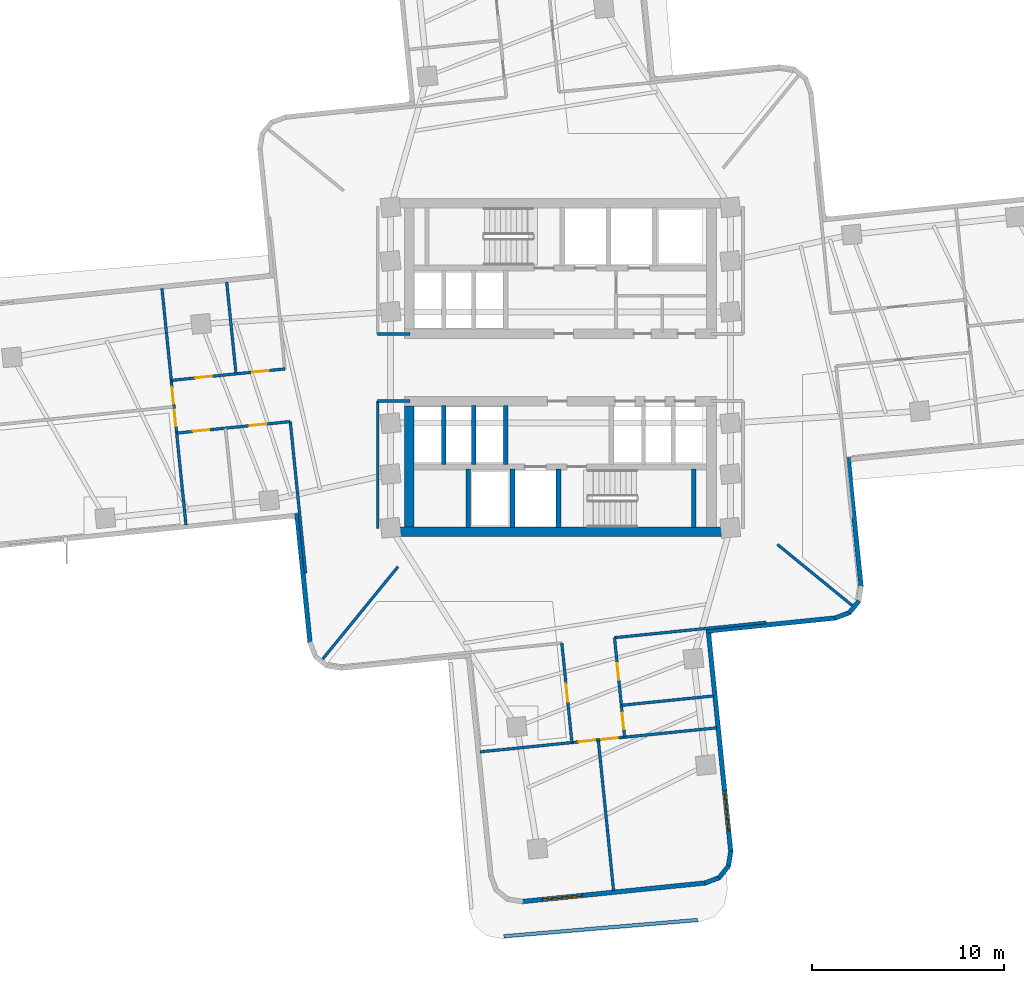
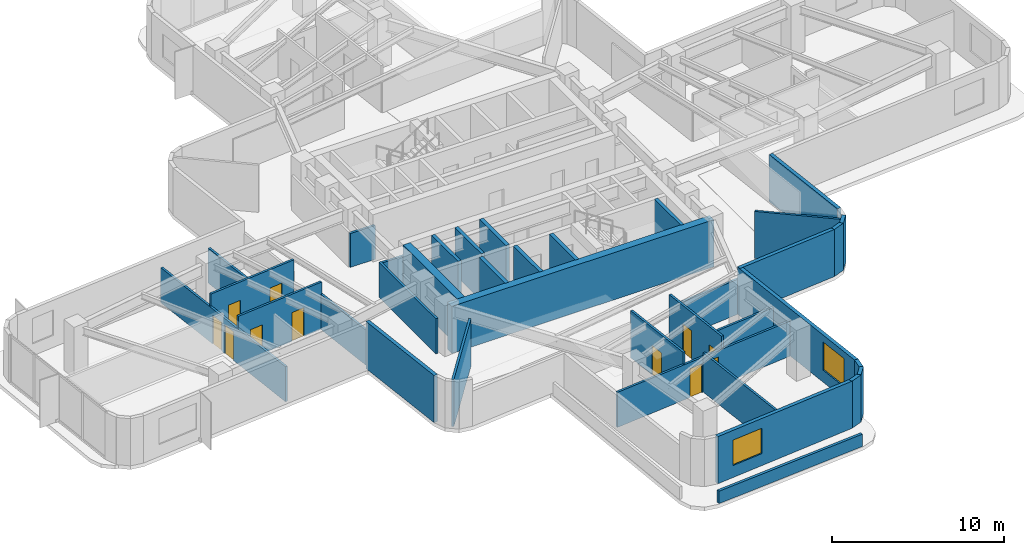
# One storey, part 7 of 14: 36 walls, 11 doors, 2 windows, 13 openings.
"""IFC4 building model written with IfcOpenShell, lengths in metres."""

from ifc_helpers import new_model, si_unit, direction, frame, frame_2d, origin, place, context, subcontext, project, spatial, rectangle, extrude, material, layer, layer_set, type_object, element, fill, save


model = new_model("IFC4")

# Units and contexts
model_context = context("Model", 3, precision=1e-05, world=origin(), true_north=direction((0.0, 1.0)))
body_context = subcontext(model_context, "Body", "Model", "MODEL_VIEW")
ifc_project = project(units=[si_unit("LENGTHUNIT", "METRE"), si_unit("AREAUNIT", "SQUARE_METRE"), si_unit("VOLUMEUNIT", "CUBIC_METRE"), si_unit("PLANEANGLEUNIT", "RADIAN"), si_unit("MASSUNIT", "GRAM", prefix="KILO")], contexts=[model_context])

# Site, building, storey
site_placement = place(None, origin())
site = spatial("IfcSite", under=ifc_project, at=site_placement, CompositionType="ELEMENT")
building_placement = place(site_placement, origin())
building = spatial("IfcBuilding", under=site, at=building_placement, Name="Solmarez Civic Tower", CompositionType="ELEMENT")
storey_placement = place(building_placement, frame((0.0, 0.0, 67.679931640625)))
storey = spatial("IfcBuildingStorey", under=building, at=storey_placement, Name="L17", CompositionType="ELEMENT", Elevation=67.679931640625)

# Walls
ifc_material_1 = material(Name="Concrete C60/75", Category="concrete")
ifc_layer_1 = layer(ifc_material_1, 0.5)
ifc_layer_set_1 = layer_set([ifc_layer_1], Name="Concrete C60/75")
wall_type_1 = type_object("IfcWallType", Name="WALL-CORE-500", PredefinedType="SHEAR", material=ifc_layer_set_1)
wall_1_placement = place(storey_placement, frame((8.780029296875, -8.56005859375, 0.0), z_axis=(0.0, 0.0, 1.0), x_axis=(-1.0, 0.0, 0.0)))
element("IfcWall", 1, at=wall_1_placement, inside=storey, type_object=wall_type_1, Name="L17 Split-Core Structural Wall SCW-S-L17", PredefinedType="SHEAR", context=body_context, shape_type="SweptSolid", body=[
    extrude(rectangle(XDim=17.56005859375, YDim=0.5, at=frame_2d((8.780029296875, 0.0))), origin(), (0.0, 0.0, 1.0), 3.340087890625),
])
wall_2_placement = place(storey_placement, frame((-7.8701171875, -8.31005859375, 0.0), z_axis=(0.0, 0.0, 1.0), x_axis=(0.0, 1.0, 0.0)))
element("IfcWall", 2, at=wall_2_placement, inside=storey, type_object=wall_type_1, Name="L17 Split-Core Structural Wall SCW-W-L17", PredefinedType="SHEAR", context=body_context, shape_type="SweptSolid", body=[
    extrude(rectangle(XDim=6.31005859375, YDim=0.5, at=frame_2d((3.155029296875, 0.0))), origin(), (0.0, 0.0, 1.0), 3.340087890625),
])
ifc_material_2 = material(Name="Precast concrete C40/50", Category="concrete")
ifc_layer_2 = layer(ifc_material_2, 0.239990234375)
ifc_layer_set_2 = layer_set([ifc_layer_2], Name="Precast concrete C40/50")
wall_type_2 = type_object("IfcWallType", Name="WALL-EXT-240", PredefinedType="SOLIDWALL", material=ifc_layer_set_2)
wall_3_placement = place(storey_placement, frame((14.98095703125, -4.694091796875, 0.0), z_axis=(0.0, 0.0, 1.0), x_axis=(0.101105402534, -0.994875719665, 0.0)))
element("IfcWall", 3, at=wall_3_placement, inside=storey, type_object=wall_type_2, Name="L17 Exterior Precast Wall 49", PredefinedType="SOLIDWALL", context=body_context, shape_type="SweptSolid", body=[
    extrude(rectangle(XDim=6.775634765625, YDim=0.239990234375, at=frame_2d((3.3876953125, 0.0))), origin(), (0.0, 0.0, 1.0), 3.340087890625),
])
wall_4_placement = place(storey_placement, frame((15.553955078125, -12.160888671875, 0.0), z_axis=(0.0, 0.0, 1.0), x_axis=(-0.632027096542, -0.774946287969, 0.0)))
element("IfcWall", 4, at=wall_4_placement, inside=storey, type_object=wall_type_2, Name="L17 Exterior Precast Wall 51", PredefinedType="SOLIDWALL", context=body_context, shape_type="SweptSolid", body=[
    extrude(rectangle(XDim=0.813232421875, YDim=0.239990234375, at=frame_2d((0.40673828125, 0.0))), origin(), (0.0, 0.0, 1.0), 3.340087890625),
])
wall_5_placement = place(storey_placement, frame((15.0791015625, -12.762939453125, 0.0), z_axis=(0.0, 0.0, 1.0), x_axis=(-0.934687869602, -0.355469529522, 0.0)))
element("IfcWall", 5, at=wall_5_placement, inside=storey, type_object=wall_type_2, Name="L17 Exterior Precast Wall 52", PredefinedType="SOLIDWALL", context=body_context, shape_type="SweptSolid", body=[
    extrude(rectangle(XDim=0.830322265625, YDim=0.239990234375, at=frame_2d((0.4150390625, 0.0))), origin(), (0.0, 0.0, 1.0), 3.340087890625),
])
wall_6_placement = place(storey_placement, frame((14.35107421875, -13.0458984375, 0.0), z_axis=(0.0, 0.0, 1.0), x_axis=(-0.994861212257, -0.101248053545, 0.0)))
element("IfcWall", 6, at=wall_6_placement, inside=storey, type_object=wall_type_2, Name="L17 Exterior Precast Wall 53", PredefinedType="SOLIDWALL", context=body_context, shape_type="SweptSolid", body=[
    extrude(rectangle(XDim=6.77587890625, YDim=0.239990234375, at=frame_2d((3.387939453125, 0.0))), origin(), (0.0, 0.0, 1.0), 3.340087890625),
])

# Wall, opening, window
wall_7_placement = place(storey_placement, frame((7.696044921875, -13.6259765625, 0.0), z_axis=(0.0, 0.0, 1.0), x_axis=(0.101141181304, -0.994872082956, 0.0)))
wall_7 = element("IfcWall", 7, at=wall_7_placement, inside=storey, type_object=wall_type_2, Name="L17 Exterior Precast Wall 56", PredefinedType="SOLIDWALL", context=body_context, shape_type="SweptSolid", body=[
    extrude(rectangle(XDim=11.67578125, YDim=0.239990234375, at=frame_2d((5.837890625, 0.0))), origin(), (0.0, 0.0, 1.0), 3.340087890625),
])
opening_1_placement = place(wall_7_placement, frame((8.47607421875, 0.0, 0.85009765625)))
opening_1 = element("IfcOpeningElement", 8, at=opening_1_placement, cuts=wall_7, Name="Opening W-03", PredefinedType="OPENING", context=body_context, shape_type="SweptSolid", body=[
    extrude(rectangle(XDim=2.10009765625, YDim=2.0, at=frame_2d((1.050048828125, 1.0))), frame((0.0, 0.1298828125, 0.0), z_axis=(0.0, -1.0, 0.0), x_axis=(1.0, 0.0, 0.0)), (0.0, 0.0, 1.0), 0.260009765625),
])
ifc_material_3 = material(Name="Solar Control Bronze-Tinted Insulating Glass", Category="glass")
window_type_1 = type_object("IfcWindowType", Name="WIN-2100X2000", PartitioningType="SINGLE_PANEL", PredefinedType="WINDOW", material=ifc_material_3)
window_1_placement = place(opening_1_placement, origin())
window_1 = element("IfcWindow", 9, at=window_1_placement, inside=storey, type_object=window_type_1, Name="L17 Exterior Facade Window 56", OverallHeight=2.0, OverallWidth=2.10009765625, PartitioningType="SINGLE_PANEL", PredefinedType="WINDOW", context=body_context, shape_type="SweptSolid", body=[
    extrude(rectangle(XDim=2.10009765625, YDim=2.0, at=frame_2d((1.050048828125, 1.0))), frame((0.0, 0.030029296875, 0.0), z_axis=(0.0, -1.0, 0.0), x_axis=(1.0, 0.0, 0.0)), (0.0, 0.0, 1.0), 0.06005859375),
])
fill(opening_1, window_1)

# Walls
wall_8_placement = place(storey_placement, frame((8.8779296875, -25.19189453125, 0.0), z_axis=(0.0, 0.0, 1.0), x_axis=(-0.159869937309, -0.987138087172, 0.0)))
element("IfcWall", 10, at=wall_8_placement, inside=storey, type_object=wall_type_2, Name="L17 Exterior Precast Wall 57", PredefinedType="SOLIDWALL", context=body_context, shape_type="SweptSolid", body=[
    extrude(rectangle(XDim=0.830810546875, YDim=0.239990234375, at=frame_2d((0.41552734375, 0.0))), origin(), (0.0, 0.0, 1.0), 3.340087890625),
])
wall_9_placement = place(storey_placement, frame((8.764892578125, -25.968017578125, 0.0), z_axis=(0.0, 0.0, 1.0), x_axis=(-0.632894553208, -0.774238002503, 0.0)))
element("IfcWall", 11, at=wall_9_placement, inside=storey, type_object=wall_type_2, Name="L17 Exterior Precast Wall 58", PredefinedType="SOLIDWALL", context=body_context, shape_type="SweptSolid", body=[
    extrude(rectangle(XDim=0.8134765625, YDim=0.239990234375, at=frame_2d((0.40673828125, 0.0))), origin(), (0.0, 0.0, 1.0), 3.340087890625),
])
wall_10_placement = place(storey_placement, frame((8.2890625, -26.570068359375, 0.0), z_axis=(0.0, 0.0, 1.0), x_axis=(-0.934636879952, -0.355603575113, 0.0)))
element("IfcWall", 12, at=wall_10_placement, inside=storey, type_object=wall_type_2, Name="L17 Exterior Precast Wall 59", PredefinedType="SOLIDWALL", context=body_context, shape_type="SweptSolid", body=[
    extrude(rectangle(XDim=0.829345703125, YDim=0.239990234375, at=frame_2d((0.41455078125, 0.0))), origin(), (0.0, 0.0, 1.0), 3.340087890625),
])

# Wall, opening, window
wall_11_placement = place(storey_placement, frame((7.56201171875, -26.85302734375, 0.0), z_axis=(0.0, 0.0, 1.0), x_axis=(-0.994872257291, -0.101139466448, 0.0)))
wall_11 = element("IfcWall", 13, at=wall_11_placement, inside=storey, type_object=wall_type_2, Name="L17 Exterior Precast Wall 60", PredefinedType="SOLIDWALL", context=body_context, shape_type="SweptSolid", body=[
    extrude(rectangle(XDim=9.619384765625, YDim=0.239990234375, at=frame_2d((4.8095703125, 0.0))), origin(), (0.0, 0.0, 1.0), 3.340087890625),
])
opening_2_placement = place(wall_11_placement, frame((6.452880859375, 0.0, 0.85009765625)))
opening_2 = element("IfcOpeningElement", 14, at=opening_2_placement, cuts=wall_11, Name="Opening W-07", PredefinedType="OPENING", context=body_context, shape_type="SweptSolid", body=[
    extrude(rectangle(XDim=2.10009765625, YDim=1.800048828125, at=frame_2d((1.050048828125, 0.89990234375))), frame((0.0, 0.1298828125, 0.0), z_axis=(0.0, -1.0, 0.0), x_axis=(1.0, 0.0, 0.0)), (0.0, 0.0, 1.0), 0.260009765625),
])
window_type_2 = type_object("IfcWindowType", Name="WIN-2100X1800", PartitioningType="SINGLE_PANEL", PredefinedType="WINDOW", material=ifc_material_3)
window_2_placement = place(opening_2_placement, origin())
window_2 = element("IfcWindow", 15, at=window_2_placement, inside=storey, type_object=window_type_2, Name="L17 Exterior Facade Window 60", OverallHeight=1.800048828125, OverallWidth=2.10009765625, PartitioningType="SINGLE_PANEL", PredefinedType="WINDOW", context=body_context, shape_type="SweptSolid", body=[
    extrude(rectangle(XDim=2.10009765625, YDim=1.800048828125, at=frame_2d((1.050048828125, 0.89990234375))), frame((0.0, 0.030029296875, 0.0), z_axis=(0.0, -1.0, 0.0), x_axis=(1.0, 0.0, 0.0)), (0.0, 0.0, 1.0), 0.06005859375),
])
fill(opening_2, window_2)

# Walls
wall_12_placement = place(storey_placement, frame((-13.0458984375, -14.35107421875, 0.0), z_axis=(0.0, 0.0, 1.0), x_axis=(-0.101248053545, 0.994861212257, 0.0)))
element("IfcWall", 16, at=wall_12_placement, inside=storey, type_object=wall_type_2, Name="L17 Exterior Precast Wall 71", PredefinedType="SOLIDWALL", context=body_context, shape_type="SweptSolid", body=[
    extrude(rectangle(XDim=6.77587890625, YDim=0.239990234375, at=frame_2d((3.387939453125, 0.0))), origin(), (0.0, 0.0, 1.0), 3.340087890625),
])
ifc_material_4 = material(Name="Gypsum Board Acoustic Steel-Stud Partition", Category="steel")
ifc_layer_3 = layer(ifc_material_4, 0.14990234375)
ifc_layer_set_3 = layer_set([ifc_layer_3], Name="Gypsum Board Acoustic Steel-Stud Partition")
wall_type_3 = type_object("IfcWallType", Name="WALL-INT-FIRE-150", PredefinedType="PARTITIONING", material=ifc_layer_set_3)
wall_13_placement = place(storey_placement, frame((-7.85009765625, 1.75, 0.0), z_axis=(0.0, 0.0, 1.0), x_axis=(-1.0, 0.0, 0.0)))
element("IfcWall", 17, at=wall_13_placement, inside=storey, type_object=wall_type_3, Name="L17 Interior Partition CHW-L17-WN3", PredefinedType="PARTITIONING", context=body_context, shape_type="SweptSolid", body=[
    extrude(rectangle(XDim=1.669921875, YDim=0.14990234375, at=frame_2d((0.8349609375, 0.0))), origin(), (0.0, 0.0, 1.0), 2.405029296875),
])
wall_14_placement = place(storey_placement, frame((-9.52001953125, -8.3798828125, 0.0), z_axis=(0.0, 0.0, 1.0), x_axis=(0.0, 1.0, 0.0)))
element("IfcWall", 18, at=wall_14_placement, inside=storey, type_object=wall_type_3, Name="L17 Interior Partition CHW-L17-WS1", PredefinedType="PARTITIONING", context=body_context, shape_type="SweptSolid", body=[
    extrude(rectangle(XDim=6.6298828125, YDim=0.14990234375, at=frame_2d((3.31494140625, 0.0))), origin(), (0.0, 0.0, 1.0), 2.486083984375),
])
wall_15_placement = place(storey_placement, frame((-7.85009765625, -1.75, 0.0), z_axis=(0.0, 0.0, 1.0), x_axis=(-1.0, 0.0, 0.0)))
element("IfcWall", 19, at=wall_15_placement, inside=storey, type_object=wall_type_3, Name="L17 Interior Partition CHW-L17-WS3", PredefinedType="PARTITIONING", context=body_context, shape_type="SweptSolid", body=[
    extrude(rectangle(XDim=1.669921875, YDim=0.14990234375, at=frame_2d((0.8349609375, 0.0))), origin(), (0.0, 0.0, 1.0), 2.405029296875),
])
ifc_layer_4 = layer(ifc_material_4, 0.14501953125)
ifc_layer_set_4 = layer_set([ifc_layer_4], Name="Gypsum Board Acoustic Steel-Stud Partition")
wall_type_4 = type_object("IfcWallType", Name="WALL-INT-PART-150", PredefinedType="PARTITIONING", material=ifc_layer_set_4)
wall_16_placement = place(storey_placement, frame((-8.466064453125, -10.3798828125, 0.0), z_axis=(0.0, 0.0, 1.0), x_axis=(-0.631992375104, -0.774974604623, 0.0)))
element("IfcWall", 20, at=wall_16_placement, inside=storey, type_object=wall_type_4, Name="L17 Interior Partition PT-L17-QDIV-3", PredefinedType="PARTITIONING", context=body_context, shape_type="SweptSolid", body=[
    extrude(rectangle(XDim=6.259765625, YDim=0.14501953125, at=frame_2d((3.1298828125, 0.0))), origin(), (0.0, 0.0, 1.0), 3.340087890625),
])
wall_17_placement = place(storey_placement, frame((11.300048828125, -9.216064453125, 0.0), z_axis=(0.0, 0.0, 1.0), x_axis=(0.774936359867, -0.632039269473, 0.0)))
element("IfcWall", 21, at=wall_17_placement, inside=storey, type_object=wall_type_4, Name="L17 Interior Partition PT-L17-QDIV-4", PredefinedType="PARTITIONING", context=body_context, shape_type="SweptSolid", body=[
    extrude(rectangle(XDim=5.072509765625, YDim=0.14501953125, at=frame_2d((2.5361328125, 0.0))), origin(), (0.0, 0.0, 1.0), 3.340087890625),
])
wall_18_placement = place(storey_placement, frame((-14.077880859375, -2.806884765625, 0.0), z_axis=(0.0, 0.0, 1.0), x_axis=(0.100884076592, -0.994898187299, 0.0)))
element("IfcWall", 22, at=wall_18_placement, inside=storey, type_object=wall_type_4, Name="L17 Interior Partition PT-L17-W-EFL", PredefinedType="PARTITIONING", context=body_context, shape_type="SweptSolid", body=[
    extrude(rectangle(XDim=7.94970703125, YDim=0.14501953125, at=frame_2d((3.974853515625, 0.0))), origin(), (0.0, 0.0, 1.0), 2.486083984375),
])
wall_19_placement = place(storey_placement, frame((-17.389892578125, 4.4599609375, 0.0), z_axis=(0.0, 0.0, 1.0), x_axis=(0.101126974355, -0.994873527167, 0.0)))
element("IfcWall", 23, at=wall_19_placement, inside=storey, type_object=wall_type_4, Name="L17 Interior Partition PT-L17-W-RM", PredefinedType="PARTITIONING", context=body_context, shape_type="SweptSolid", body=[
    extrude(rectangle(XDim=4.794677734375, YDim=0.14501953125, at=frame_2d((2.3974609375, 0.0))), origin(), (0.0, 0.0, 1.0), 2.486083984375),
])

# Wall, openings, doors
wall_20_placement = place(storey_placement, frame((-19.9970703125, -3.41796875, 0.0), z_axis=(0.0, 0.0, 1.0), x_axis=(0.994885342511, 0.101010669028, 0.0)))
wall_20 = element("IfcWall", 24, at=wall_20_placement, inside=storey, type_object=wall_type_4, Name="L17 Interior Partition PT-L17-W-SL", PredefinedType="PARTITIONING", context=body_context, shape_type="SweptSolid", body=[
    extrude(rectangle(XDim=5.95068359375, YDim=0.14501953125, at=frame_2d((2.975341796875, 0.0))), origin(), (0.0, 0.0, 1.0), 3.340087890625),
])
opening_3_placement = place(wall_20_placement, frame((3.824951171875, 0.0, 0.0)))
opening_3 = element("IfcOpeningElement", 25, at=opening_3_placement, cuts=wall_20, Name="Opening D-14", PredefinedType="OPENING", context=body_context, shape_type="SweptSolid", body=[
    extrude(rectangle(XDim=0.860107421875, YDim=2.0400390625, at=frame_2d((0.43017578125, 1.02001953125))), frame((0.0, 0.08251953125, 0.0), z_axis=(0.0, -1.0, 0.0), x_axis=(1.0, 0.0, 0.0)), (0.0, 0.0, 1.0), 0.1650390625),
])
opening_4_placement = place(wall_20_placement, frame((0.85009765625, 0.0, 0.0)))
opening_4 = element("IfcOpeningElement", 26, at=opening_4_placement, cuts=wall_20, Name="Opening D-14", PredefinedType="OPENING", context=body_context, shape_type="SweptSolid", body=[
    extrude(rectangle(XDim=0.860107421875, YDim=2.0400390625, at=frame_2d((0.43017578125, 1.02001953125))), frame((0.0, 0.08251953125, 0.0), z_axis=(0.0, -1.0, 0.0), x_axis=(1.0, 0.0, 0.0)), (0.0, 0.0, 1.0), 0.1650390625),
])
ifc_material_5 = material(Name="Timber Storage and Pantry Door", Category="wood")
door_type_1 = type_object("IfcDoorType", Name="DOOR-INT-850", OperationType="NOTDEFINED", PredefinedType="DOOR", material=ifc_material_5)
door_1_placement = place(opening_3_placement, origin())
door_1 = element("IfcDoor", 27, at=door_1_placement, inside=storey, type_object=door_type_1, Name="L17 Municipal Mailroom First West Door", OperationType="SINGLE_SWING_LEFT", OverallHeight=2.0400390625, OverallWidth=0.860107421875, PredefinedType="DOOR", context=body_context, shape_type="SweptSolid", body=[
    extrude(rectangle(XDim=0.860107421875, YDim=2.0400390625, at=frame_2d((0.43017578125, 1.02001953125))), frame((0.0, 0.02490234375, 0.0), z_axis=(0.0, -1.0, 0.0), x_axis=(1.0, 0.0, 0.0)), (0.0, 0.0, 1.0), 0.050048828125),
])
fill(opening_3, door_1)
door_2_placement = place(opening_4_placement, origin())
door_2 = element("IfcDoor", 28, at=door_2_placement, inside=storey, type_object=door_type_1, Name="L17 Staff Tea Pantry Second West Door", OperationType="SINGLE_SWING_RIGHT", OverallHeight=2.0400390625, OverallWidth=0.860107421875, PredefinedType="DOOR", context=body_context, shape_type="SweptSolid", body=[
    extrude(rectangle(XDim=0.860107421875, YDim=2.0400390625, at=frame_2d((0.43017578125, 1.02001953125))), frame((0.0, 0.02490234375, 0.0), z_axis=(0.0, -1.0, 0.0), x_axis=(1.0, 0.0, 0.0)), (0.0, 0.0, 1.0), 0.050048828125),
])
fill(opening_4, door_2)

wall_21_placement = place(storey_placement, frame((-14.35595703125, -0.071044921875, 0.0), z_axis=(0.0, 0.0, 1.0), x_axis=(-0.994884923871, -0.101014792254, 0.0)))
wall_21 = element("IfcWall", 29, at=wall_21_placement, inside=storey, type_object=wall_type_4, Name="L17 Interior Partition PT-L17-W-SR", PredefinedType="PARTITIONING", context=body_context, shape_type="SweptSolid", body=[
    extrude(rectangle(XDim=5.950439453125, YDim=0.14501953125, at=frame_2d((2.97509765625, 0.0))), origin(), (0.0, 0.0, 1.0), 3.340087890625),
])
opening_5_placement = place(wall_21_placement, frame((0.85009765625, 0.0, 0.0)))
opening_5 = element("IfcOpeningElement", 30, at=opening_5_placement, cuts=wall_21, Name="Opening D-14", PredefinedType="OPENING", context=body_context, shape_type="SweptSolid", body=[
    extrude(rectangle(XDim=0.860107421875, YDim=2.0400390625, at=frame_2d((0.43017578125, 1.02001953125))), frame((0.0, 0.08251953125, 0.0), z_axis=(0.0, -1.0, 0.0), x_axis=(1.0, 0.0, 0.0)), (0.0, 0.0, 1.0), 0.1650390625),
])
opening_6_placement = place(wall_21_placement, frame((3.824951171875, 0.0, 0.0)))
opening_6 = element("IfcOpeningElement", 31, at=opening_6_placement, cuts=wall_21, Name="Opening D-14", PredefinedType="OPENING", context=body_context, shape_type="SweptSolid", body=[
    extrude(rectangle(XDim=0.860107421875, YDim=2.0400390625, at=frame_2d((0.43017578125, 1.02001953125))), frame((0.0, 0.08251953125, 0.0), z_axis=(0.0, -1.0, 0.0), x_axis=(1.0, 0.0, 0.0)), (0.0, 0.0, 1.0), 0.1650390625),
])
door_3_placement = place(opening_5_placement, origin())
door_3 = element("IfcDoor", 32, at=door_3_placement, inside=storey, type_object=door_type_1, Name="L17 Co-Working Policy Workspace Third West Door", OperationType="SINGLE_SWING_RIGHT", OverallHeight=2.0400390625, OverallWidth=0.860107421875, PredefinedType="DOOR", context=body_context, shape_type="SweptSolid", body=[
    extrude(rectangle(XDim=0.860107421875, YDim=2.0400390625, at=frame_2d((0.43017578125, 1.02001953125))), frame((0.0, 0.02490234375, 0.0), z_axis=(0.0, -1.0, 0.0), x_axis=(1.0, 0.0, 0.0)), (0.0, 0.0, 1.0), 0.050048828125),
])
fill(opening_5, door_3)
door_4_placement = place(opening_6_placement, origin())
door_4 = element("IfcDoor", 33, at=door_4_placement, inside=storey, type_object=door_type_1, Name="L17 Breakout Huddle Room Fourth West Door", OperationType="SINGLE_SWING_LEFT", OverallHeight=2.0400390625, OverallWidth=0.860107421875, PredefinedType="DOOR", context=body_context, shape_type="SweptSolid", body=[
    extrude(rectangle(XDim=0.860107421875, YDim=2.0400390625, at=frame_2d((0.43017578125, 1.02001953125))), frame((0.0, 0.02490234375, 0.0), z_axis=(0.0, -1.0, 0.0), x_axis=(1.0, 0.0, 0.0)), (0.0, 0.0, 1.0), 0.050048828125),
])
fill(opening_6, door_4)

wall_22_placement = place(storey_placement, frame((-19.510009765625, -8.208984375, 0.0), z_axis=(0.0, 0.0, 1.0), x_axis=(-0.101042864496, 0.99488207318, 0.0)))
wall_22 = element("IfcWall", 34, at=wall_22_placement, inside=storey, type_object=wall_type_4, Name="L17 Interior Partition PT-L17-W-END", PredefinedType="PARTITIONING", context=body_context, shape_type="SweptSolid", body=[
    extrude(rectangle(XDim=12.390380859375, YDim=0.14501953125, at=frame_2d((6.1953125, 0.0))), origin(), (0.0, 0.0, 1.0), 2.486083984375),
])
opening_7_placement = place(wall_22_placement, frame((6.364990234375, 0.0, 0.0)))
opening_7 = element("IfcOpeningElement", 35, at=opening_7_placement, cuts=wall_22, Name="Opening D-14", PredefinedType="OPENING", context=body_context, shape_type="SweptSolid", body=[
    extrude(rectangle(XDim=0.860107421875, YDim=2.0400390625, at=frame_2d((0.43017578125, 1.02001953125))), frame((0.0, 0.08251953125, 0.0), z_axis=(0.0, -1.0, 0.0), x_axis=(1.0, 0.0, 0.0)), (0.0, 0.0, 1.0), 0.1650390625),
])
opening_8_placement = place(wall_22_placement, frame((5.1650390625, 0.0, 0.0)))
opening_8 = element("IfcOpeningElement", 36, at=opening_8_placement, cuts=wall_22, Name="Opening D-14", PredefinedType="OPENING", context=body_context, shape_type="SweptSolid", body=[
    extrude(rectangle(XDim=0.860107421875, YDim=2.0400390625, at=frame_2d((0.43017578125, 1.02001953125))), frame((0.0, 0.08251953125, 0.0), z_axis=(0.0, -1.0, 0.0), x_axis=(1.0, 0.0, 0.0)), (0.0, 0.0, 1.0), 0.1650390625),
])
door_5_placement = place(opening_7_placement, origin())
door_5 = element("IfcDoor", 37, at=door_5_placement, inside=storey, type_object=door_type_1, Name="L17 Breakout Huddle Room Sixth West Door", OperationType="SINGLE_SWING_RIGHT", OverallHeight=2.0400390625, OverallWidth=0.860107421875, PredefinedType="DOOR", context=body_context, shape_type="SweptSolid", body=[
    extrude(rectangle(XDim=0.860107421875, YDim=2.0400390625, at=frame_2d((0.43017578125, 1.02001953125))), frame((0.0, 0.02490234375, 0.0), z_axis=(0.0, -1.0, 0.0), x_axis=(1.0, 0.0, 0.0)), (0.0, 0.0, 1.0), 0.050048828125),
])
fill(opening_7, door_5)
door_6_placement = place(opening_8_placement, origin())
door_6 = element("IfcDoor", 38, at=door_6_placement, inside=storey, type_object=door_type_1, Name="L17 Co-Working Policy Workspace Fifth West Door", OperationType="SINGLE_SWING_LEFT", OverallHeight=2.0400390625, OverallWidth=0.860107421875, PredefinedType="DOOR", context=body_context, shape_type="SweptSolid", body=[
    extrude(rectangle(XDim=0.860107421875, YDim=2.0400390625, at=frame_2d((0.43017578125, 1.02001953125))), frame((0.0, 0.02490234375, 0.0), z_axis=(0.0, -1.0, 0.0), x_axis=(1.0, 0.0, 0.0)), (0.0, 0.0, 1.0), 0.050048828125),
])
fill(opening_8, door_6)

# Walls
wall_23_placement = place(storey_placement, frame((2.806884765625, -14.077880859375, 0.0), z_axis=(0.0, 0.0, 1.0), x_axis=(0.994898187299, 0.100884076592, 0.0)))
element("IfcWall", 39, at=wall_23_placement, inside=storey, type_object=wall_type_4, Name="L17 Interior Partition PT-L17-S-EFL", PredefinedType="PARTITIONING", context=body_context, shape_type="SweptSolid", body=[
    extrude(rectangle(XDim=7.94970703125, YDim=0.14501953125, at=frame_2d((3.974853515625, 0.0))), origin(), (0.0, 0.0, 1.0), 2.486083984375),
])
wall_24_placement = place(storey_placement, frame((3.195068359375, -17.596923828125, 0.0), z_axis=(0.0, 0.0, 1.0), x_axis=(0.994893999082, 0.100925371388, 0.0)))
element("IfcWall", 40, at=wall_24_placement, inside=storey, type_object=wall_type_4, Name="L17 Interior Partition PT-L17-S-LM", PredefinedType="PARTITIONING", context=body_context, shape_type="SweptSolid", body=[
    extrude(rectangle(XDim=4.79443359375, YDim=0.14501953125, at=frame_2d((2.397216796875, 0.0))), origin(), (0.0, 0.0, 1.0), 2.486083984375),
])

# Wall, openings, doors
wall_25_placement = place(storey_placement, frame((3.343994140625, -19.260986328125, 0.0), z_axis=(0.0, 0.0, 1.0), x_axis=(-0.101155024417, 0.994870675533, 0.0)))
wall_25 = element("IfcWall", 41, at=wall_25_placement, inside=storey, type_object=wall_type_4, Name="L17 Interior Partition PT-L17-S-SL", PredefinedType="PARTITIONING", context=body_context, shape_type="SweptSolid", body=[
    extrude(rectangle(XDim=5.210693359375, YDim=0.14501953125, at=frame_2d((2.60546875, 0.0))), origin(), (0.0, 0.0, 1.0), 3.340087890625),
])
opening_9_placement = place(wall_25_placement, frame((3.010986328125, 0.0, 0.0)))
opening_9 = element("IfcOpeningElement", 42, at=opening_9_placement, cuts=wall_25, Name="Opening D-14", PredefinedType="OPENING", context=body_context, shape_type="SweptSolid", body=[
    extrude(rectangle(XDim=0.860107421875, YDim=2.0400390625, at=frame_2d((0.43017578125, 1.02001953125))), frame((0.0, 0.08251953125, 0.0), z_axis=(0.0, -1.0, 0.0), x_axis=(1.0, 0.0, 0.0)), (0.0, 0.0, 1.0), 0.1650390625),
])
opening_10_placement = place(wall_25_placement, frame((0.406005859375, 0.0, 0.0)))
opening_10 = element("IfcOpeningElement", 43, at=opening_10_placement, cuts=wall_25, Name="Opening D-14", PredefinedType="OPENING", context=body_context, shape_type="SweptSolid", body=[
    extrude(rectangle(XDim=0.860107421875, YDim=2.0400390625, at=frame_2d((0.43017578125, 1.02001953125))), frame((0.0, 0.08251953125, 0.0), z_axis=(0.0, -1.0, 0.0), x_axis=(1.0, 0.0, 0.0)), (0.0, 0.0, 1.0), 0.1650390625),
])
door_7_placement = place(opening_9_placement, origin())
door_7 = element("IfcDoor", 44, at=door_7_placement, inside=storey, type_object=door_type_1, Name="L17 Staff Tea Pantry First South Door", OperationType="SINGLE_SWING_LEFT", OverallHeight=2.0400390625, OverallWidth=0.860107421875, PredefinedType="DOOR", context=body_context, shape_type="SweptSolid", body=[
    extrude(rectangle(XDim=0.860107421875, YDim=2.0400390625, at=frame_2d((0.43017578125, 1.02001953125))), frame((0.0, 0.02490234375, 0.0), z_axis=(0.0, -1.0, 0.0), x_axis=(1.0, 0.0, 0.0)), (0.0, 0.0, 1.0), 0.050048828125),
])
fill(opening_9, door_7)
door_8_placement = place(opening_10_placement, origin())
door_8 = element("IfcDoor", 45, at=door_8_placement, inside=storey, type_object=door_type_1, Name="L17 Co-Working Policy Workspace Second South Door", OperationType="SINGLE_SWING_RIGHT", OverallHeight=2.0400390625, OverallWidth=0.860107421875, PredefinedType="DOOR", context=body_context, shape_type="SweptSolid", body=[
    extrude(rectangle(XDim=0.860107421875, YDim=2.0400390625, at=frame_2d((0.43017578125, 1.02001953125))), frame((0.0, 0.02490234375, 0.0), z_axis=(0.0, -1.0, 0.0), x_axis=(1.0, 0.0, 0.0)), (0.0, 0.0, 1.0), 0.050048828125),
])
fill(opening_10, door_8)

# Wall, opening, door
wall_26_placement = place(storey_placement, frame((0.071044921875, -14.35595703125, 0.0), z_axis=(0.0, 0.0, 1.0), x_axis=(0.10110865078, -0.994875389553, 0.0)))
wall_26 = element("IfcWall", 46, at=wall_26_placement, inside=storey, type_object=wall_type_4, Name="L17 Interior Partition PT-L17-S-SR", PredefinedType="PARTITIONING", context=body_context, shape_type="SweptSolid", body=[
    extrude(rectangle(XDim=5.210693359375, YDim=0.14501953125, at=frame_2d((2.60546875, 0.0))), origin(), (0.0, 0.0, 1.0), 3.340087890625),
])
opening_11_placement = place(wall_26_placement, frame((2.125, 0.0, 0.0)))
opening_11 = element("IfcOpeningElement", 47, at=opening_11_placement, cuts=wall_26, Name="Opening D-10", PredefinedType="OPENING", context=body_context, shape_type="SweptSolid", body=[
    extrude(rectangle(XDim=0.949951171875, YDim=2.080078125, at=frame_2d((0.47509765625, 1.0400390625))), frame((0.0, 0.08251953125, 0.0), z_axis=(0.0, -1.0, 0.0), x_axis=(1.0, 0.0, 0.0)), (0.0, 0.0, 1.0), 0.1650390625),
])
ifc_material_6 = material(Name="Solid-Core Timber Ministry Office Door", Category="wood")
door_type_2 = type_object("IfcDoorType", Name="DOOR-INT-950", OperationType="NOTDEFINED", PredefinedType="DOOR", material=ifc_material_6)
door_9_placement = place(opening_11_placement, origin())
door_9 = element("IfcDoor", 48, at=door_9_placement, inside=storey, type_object=door_type_2, Name="L17 Breakout Huddle Room Third South Door", OperationType="SINGLE_SWING_RIGHT", OverallHeight=2.080078125, OverallWidth=0.949951171875, PredefinedType="DOOR", context=body_context, shape_type="SweptSolid", body=[
    extrude(rectangle(XDim=0.949951171875, YDim=2.080078125, at=frame_2d((0.47509765625, 1.0400390625))), frame((0.0, 0.02490234375, 0.0), z_axis=(0.0, -1.0, 0.0), x_axis=(1.0, 0.0, 0.0)), (0.0, 0.0, 1.0), 0.050048828125),
])
fill(opening_11, door_9)

# Wall
wall_27_placement = place(storey_placement, frame((1.97705078125, -19.4599609375, 0.0), z_axis=(0.0, 0.0, 1.0), x_axis=(0.101083192058, -0.99487797658, 0.0)))
element("IfcWall", 49, at=wall_27_placement, inside=storey, type_object=wall_type_4, Name="L17 Interior Partition PT-L17-S-TM", PredefinedType="PARTITIONING", context=body_context, shape_type="SweptSolid", body=[
    extrude(rectangle(XDim=7.8349609375, YDim=0.14501953125, at=frame_2d((3.91748046875, 0.0))), origin(), (0.0, 0.0, 1.0), 2.79296875),
])

# Wall, openings, doors
wall_28_placement = place(storey_placement, frame((8.134033203125, -18.77392578125, 0.0), z_axis=(0.0, 0.0, 1.0), x_axis=(-0.994882274346, -0.101040883761, 0.0)))
wall_28 = element("IfcWall", 50, at=wall_28_placement, inside=storey, type_object=wall_type_4, Name="L17 Interior Partition PT-L17-S-END", PredefinedType="PARTITIONING", context=body_context, shape_type="SweptSolid", body=[
    extrude(rectangle(XDim=12.390625, YDim=0.14501953125, at=frame_2d((6.1953125, 0.0))), origin(), (0.0, 0.0, 1.0), 2.486083984375),
])
opening_12_placement = place(wall_28_placement, frame((6.364990234375, 0.0, 0.0)))
opening_12 = element("IfcOpeningElement", 51, at=opening_12_placement, cuts=wall_28, Name="Opening D-14", PredefinedType="OPENING", context=body_context, shape_type="SweptSolid", body=[
    extrude(rectangle(XDim=0.860107421875, YDim=2.0400390625, at=frame_2d((0.43017578125, 1.02001953125))), frame((0.0, 0.08251953125, 0.0), z_axis=(0.0, -1.0, 0.0), x_axis=(1.0, 0.0, 0.0)), (0.0, 0.0, 1.0), 0.1650390625),
])
opening_13_placement = place(wall_28_placement, frame((5.1650390625, 0.0, 0.0)))
opening_13 = element("IfcOpeningElement", 52, at=opening_13_placement, cuts=wall_28, Name="Opening D-14", PredefinedType="OPENING", context=body_context, shape_type="SweptSolid", body=[
    extrude(rectangle(XDim=0.860107421875, YDim=2.0400390625, at=frame_2d((0.43017578125, 1.02001953125))), frame((0.0, 0.08251953125, 0.0), z_axis=(0.0, -1.0, 0.0), x_axis=(1.0, 0.0, 0.0)), (0.0, 0.0, 1.0), 0.1650390625),
])
door_10_placement = place(opening_12_placement, origin())
door_10 = element("IfcDoor", 53, at=door_10_placement, inside=storey, type_object=door_type_1, Name="L17 Municipal Mailroom Sixth South Door", OperationType="SINGLE_SWING_RIGHT", OverallHeight=2.0400390625, OverallWidth=0.860107421875, PredefinedType="DOOR", context=body_context, shape_type="SweptSolid", body=[
    extrude(rectangle(XDim=0.860107421875, YDim=2.0400390625, at=frame_2d((0.43017578125, 1.02001953125))), frame((0.0, 0.02490234375, 0.0), z_axis=(0.0, -1.0, 0.0), x_axis=(1.0, 0.0, 0.0)), (0.0, 0.0, 1.0), 0.050048828125),
])
fill(opening_12, door_10)
door_11_placement = place(opening_13_placement, origin())
door_11 = element("IfcDoor", 54, at=door_11_placement, inside=storey, type_object=door_type_1, Name="L17 Breakout Huddle Room Fifth South Door", OperationType="SINGLE_SWING_LEFT", OverallHeight=2.0400390625, OverallWidth=0.860107421875, PredefinedType="DOOR", context=body_context, shape_type="SweptSolid", body=[
    extrude(rectangle(XDim=0.860107421875, YDim=2.0400390625, at=frame_2d((0.43017578125, 1.02001953125))), frame((0.0, 0.02490234375, 0.0), z_axis=(0.0, -1.0, 0.0), x_axis=(1.0, 0.0, 0.0)), (0.0, 0.0, 1.0), 0.050048828125),
])
fill(opening_13, door_11)

# Walls
ifc_layer_5 = layer(ifc_material_2, 0.179931640625)
ifc_layer_set_5 = layer_set([ifc_layer_5], Name="Precast concrete C40/50")
wall_type_5 = type_object("IfcWallType", Name="WALL-PARAPET-180", PredefinedType="PARAPET", material=ifc_layer_set_5)
wall_29_placement = place(storey_placement, frame((-2.950927734375, -29.631103515625, 0.0), z_axis=(0.0, 0.0, 1.0), x_axis=(0.996487395163, 0.083742887942, 0.0)))
element("IfcWall", 55, at=wall_29_placement, inside=storey, type_object=wall_type_5, Name="L17 Roof Perimeter Parapet 16", PredefinedType="PARAPET", context=body_context, shape_type="SweptSolid", body=[
    extrude(rectangle(XDim=10.1396484375, YDim=0.179931640625, at=frame_2d((5.06982421875, 0.0))), origin(), (0.0, 0.0, 1.0), 0.880126953125),
])
ifc_material_7 = material(Name="Concrete C50/60", Category="concrete")
ifc_layer_6 = layer(ifc_material_7, 0.300048828125)
ifc_layer_set_6 = layer_set([ifc_layer_6], Name="Concrete C50/60")
wall_type_6 = type_object("IfcWallType", Name="WALL-STR-300", PredefinedType="SOLIDWALL", material=ifc_layer_set_6)
wall_30_placement = place(storey_placement, frame((6.949951171875, -8.340087890625, 0.0), z_axis=(0.0, 0.0, 1.0), x_axis=(0.0, 1.0, 0.0)))
element("IfcWall", 56, at=wall_30_placement, inside=storey, type_object=wall_type_6, Name="L17 Split-Core Structural Wall SHW-SE-L17", PredefinedType="SOLIDWALL", context=body_context, shape_type="SweptSolid", body=[
    extrude(rectangle(XDim=3.06005859375, YDim=0.219970703125, at=frame_2d((1.530029296875, 0.0))), origin(), (0.0, 0.0, 1.0), 3.340087890625),
])
for number, where, z_axis, x_axis, name in (
    (57, (-0.10009765625, -8.340087890625, 0.0), (0.0, 0.0, 1.0), (0.0, 1.0, 0.0), "L17 Split-Core Structural Wall SHW-S1-L17"),
    (58, (-2.5, -8.340087890625, 0.0), (0.0, 0.0, 1.0), (0.0, 1.0, 0.0), "L17 Split-Core Structural Wall SHW-S2-L17"),
    (59, (-4.800048828125, -8.340087890625, 0.0), (0.0, 0.0, 1.0), (0.0, 1.0, 0.0), "L17 Split-Core Structural Wall SHW-S3-L17"),
):
    element("IfcWall", number, at=place(storey_placement, frame(where, z_axis=z_axis, x_axis=x_axis)), inside=storey, type_object=wall_type_6, Name=name, PredefinedType="SOLIDWALL", context=body_context, shape_type="SweptSolid", body=[
        extrude(rectangle(XDim=3.0400390625, YDim=0.25, at=frame_2d((1.52001953125, 0.0))), origin(), (0.0, 0.0, 1.0), 3.340087890625),
    ])
wall_31_placement = place(storey_placement, frame((-2.85009765625, -5.050048828125, 0.0), z_axis=(0.0, 0.0, 1.0), x_axis=(0.0, 1.0, 0.0)))
element("IfcWall", 60, at=wall_31_placement, inside=storey, type_object=wall_type_6, Name="L17 Split-Core Structural Wall SHW-SL1-L17", PredefinedType="SOLIDWALL", context=body_context, shape_type="SweptSolid", body=[
    extrude(rectangle(XDim=3.070068359375, YDim=0.25, at=frame_2d((1.53515625, 0.0))), origin(), (0.0, 0.0, 1.0), 3.340087890625),
])
for number, where, z_axis, x_axis, name in (
    (61, (-6.080078125, -5.050048828125, 0.0), (0.0, 0.0, 1.0), (0.0, 1.0, 0.0), "L17 Split-Core Structural Wall SHW-PLM-L17-1"),
    (62, (-4.52001953125, -5.050048828125, 0.0), (0.0, 0.0, 1.0), (0.0, 1.0, 0.0), "L17 Split-Core Structural Wall SHW-PLM-L17-2"),
):
    element("IfcWall", number, at=place(storey_placement, frame(where, z_axis=z_axis, x_axis=x_axis)), inside=storey, type_object=wall_type_6, Name=name, PredefinedType="SOLIDWALL", context=body_context, shape_type="SweptSolid", body=[
        extrude(rectangle(XDim=3.070068359375, YDim=0.219970703125, at=frame_2d((1.53515625, 0.0))), origin(), (0.0, 0.0, 1.0), 3.340087890625),
    ])

save(model, "model.ifc")
